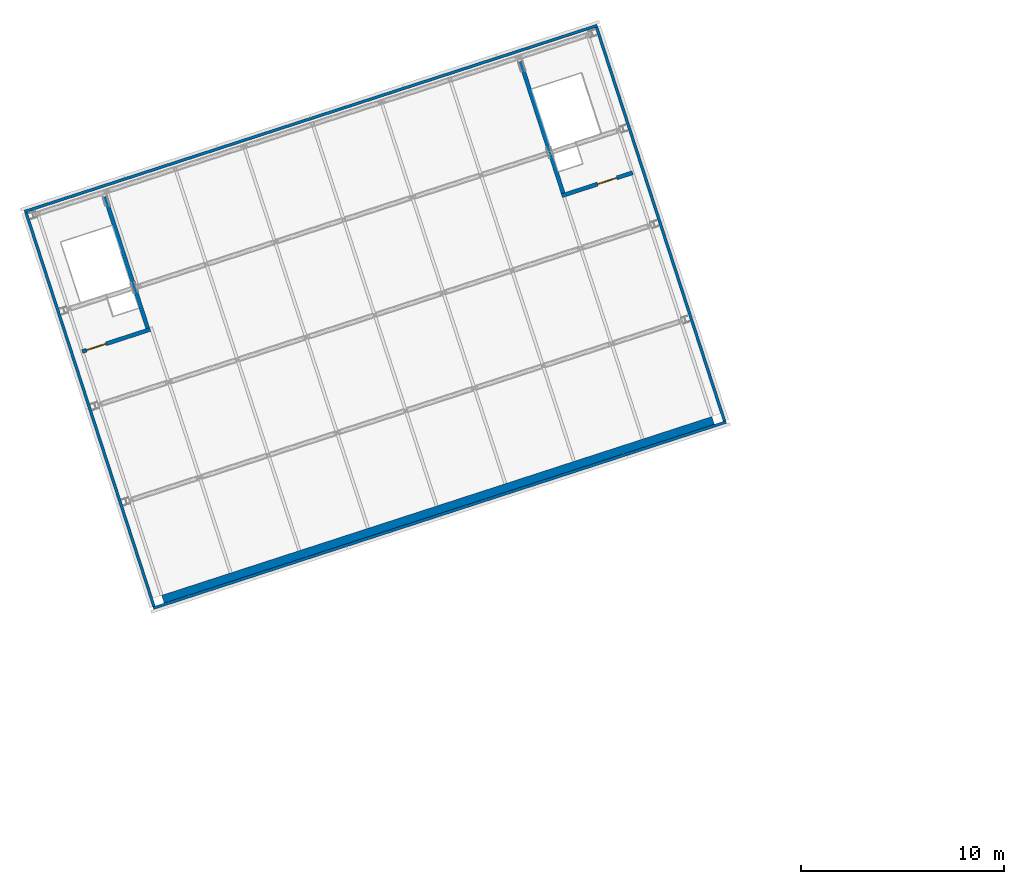
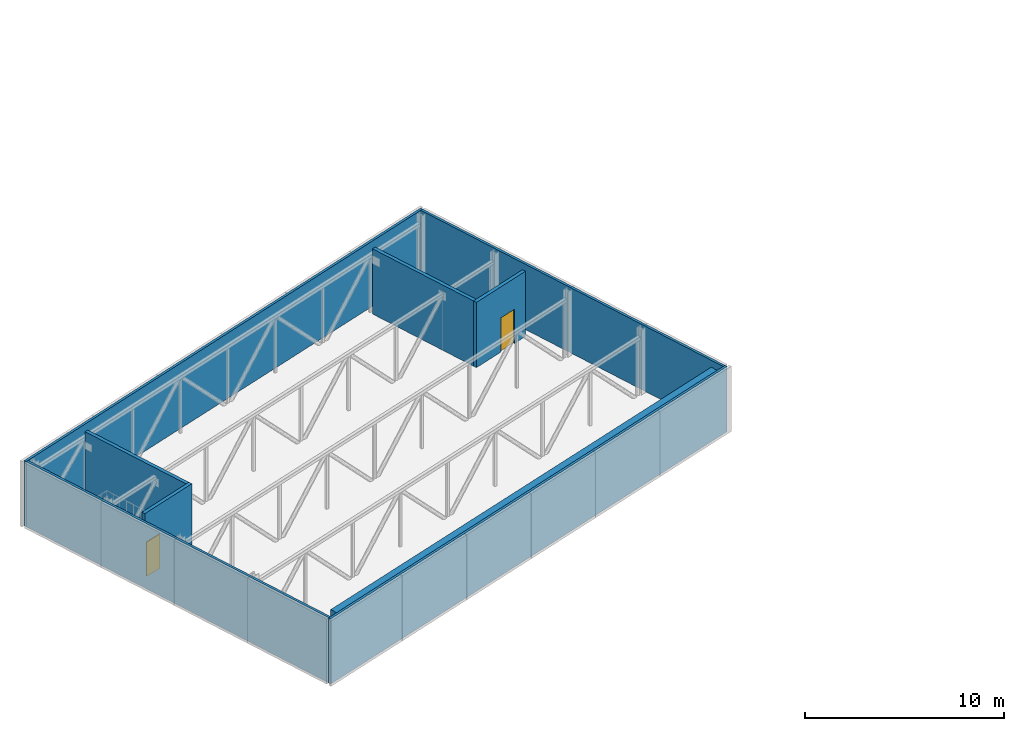
# One storey, part 46 of 52: 9 walls, 2 doors, 2 openings.
"""IFC4 building model written with IfcOpenShell, lengths in metres."""

from ifc_helpers import new_model, si_unit, direction, frame, frame_2d, origin, place, context, subcontext, project, spatial, rectangle, extrude, material, layer, layer_set, type_object, element, fill, save


model = new_model("IFC4")

# Units and contexts
model_context = context("Model", 3, precision=1e-05, world=origin(), true_north=direction((0.0, 1.0)))
body_context = subcontext(model_context, "Body", "Model", "MODEL_VIEW")
ifc_project = project(units=[si_unit("LENGTHUNIT", "METRE"), si_unit("AREAUNIT", "SQUARE_METRE"), si_unit("VOLUMEUNIT", "CUBIC_METRE"), si_unit("PLANEANGLEUNIT", "RADIAN"), si_unit("MASSUNIT", "GRAM", prefix="KILO")], contexts=[model_context])

# Site, building, storey
site_placement = place(None, origin())
site = spatial("IfcSite", under=ifc_project, at=site_placement, CompositionType="ELEMENT")
building_placement = place(site_placement, origin())
building = spatial("IfcBuilding", under=site, at=building_placement, Name="Tuart Plaza Theatre", CompositionType="ELEMENT")
storey_placement = place(building_placement, frame((0.0, 0.0, 25.5)))
storey = spatial("IfcBuildingStorey", under=building, at=storey_placement, Name="L06", CompositionType="ELEMENT", Elevation=25.5)

# Wall
ifc_material_1 = material(Name="Concrete N50 (50 MPa)", Category="concrete")
ifc_layer_1 = layer(ifc_material_1, 0.39990234375)
ifc_layer_set_1 = layer_set([ifc_layer_1], Name="SHEAR WALL RC400 N50 FRL 120/120/120")
wall_type_1 = type_object("IfcWallType", Name="SHEAR WALL RC400 N50 FRL 120/120/120", PredefinedType="SHEAR", material=ifc_layer_set_1)
wall_1_placement = place(storey_placement, frame((41.5615234375, 68.69921875, 0.0), z_axis=(0.0, 0.0, 1.0), x_axis=(0.951058008754, 0.309012401021, 0.0)))
element("IfcWall", 1, at=wall_1_placement, inside=storey, type_object=wall_type_1, Name="W58", PredefinedType="SHEAR", context=body_context, shape_type="SweptSolid", body=[
    extrude(rectangle(XDim=28.5498046875, YDim=0.39990234375, at=frame_2d((14.27490234375, 0.0))), origin(), (0.0, 0.0, 1.0), 4.0),
])

# Wall, opening, door
ifc_material_2 = material(Name="Concrete N40 (40 MPa)", Category="concrete")
ifc_layer_2 = layer(ifc_material_2, 0.199951171875)
ifc_layer_set_2 = layer_set([ifc_layer_2], Name="WALL RC200 LB FRL 120/120/120")
wall_type_2 = type_object("IfcWallType", Name="WALL RC200 LB FRL 120/120/120", PredefinedType="SOLIDWALL", material=ifc_layer_set_2)
wall_2_placement = place(storey_placement, frame((37.590576171875, 80.920166015625, 0.0), z_axis=(0.0, 0.0, 1.0), x_axis=(0.951052389726, 0.30902969436, 0.0)))
wall_2 = element("IfcWall", 2, at=wall_2_placement, inside=storey, type_object=wall_type_2, Name="W146", PredefinedType="SOLIDWALL", context=body_context, shape_type="SweptSolid", body=[
    extrude(rectangle(XDim=3.525146484375, YDim=0.199951171875, at=frame_2d((1.7626953125, 0.0))), origin(), (0.0, 0.0, 1.0), 4.0),
])
opening_1_placement = place(wall_2_placement, frame((0.22509765625, 0.0, 0.0)))
opening_1 = element("IfcOpeningElement", 3, at=opening_1_placement, cuts=wall_2, Name="Opening L06-001", PredefinedType="OPENING", context=body_context, shape_type="SweptSolid", body=[
    extrude(rectangle(XDim=1.0, YDim=2.10009765625, at=frame_2d((0.5, 1.050048828125))), frame((0.0, 0.10986328125, 0.0), z_axis=(0.0, -1.0, 0.0), x_axis=(1.0, 0.0, 0.0)), (0.0, 0.0, 1.0), 0.219970703125),
])
ifc_material_3 = material(Name="Timber", Category="wood")
door_type = type_object("IfcDoorType", Name="DOOR 1000x2100 timber single swing FRL -/120/30", OperationType="SINGLE_SWING_LEFT", PredefinedType="DOOR", material=ifc_material_3)
door_1_placement = place(opening_1_placement, origin())
door_1 = element("IfcDoor", 4, at=door_1_placement, inside=storey, type_object=door_type, Name="L06-001", OperationType="SINGLE_SWING_LEFT", OverallHeight=2.10009765625, OverallWidth=1.0, PredefinedType="DOOR", context=body_context, shape_type="SweptSolid", body=[
    extrude(rectangle(XDim=1.0, YDim=2.10009765625, at=frame_2d((0.5, 1.050048828125))), frame((0.0, 0.02490234375, 0.0), z_axis=(0.0, -1.0, 0.0), x_axis=(1.0, 0.0, 0.0)), (0.0, 0.0, 1.0), 0.050048828125),
])
fill(opening_1, door_1)

# Wall
wall_3_placement = place(storey_placement, frame((40.817138671875, 82.07373046875, 0.0), z_axis=(0.0, 0.0, 1.0), x_axis=(-0.309028643499, 0.951052731186, 0.0)))
element("IfcWall", 5, at=wall_3_placement, inside=storey, type_object=wall_type_2, Name="W147", PredefinedType="SOLIDWALL", context=body_context, shape_type="SweptSolid", body=[
    extrude(rectangle(XDim=6.824951171875, YDim=0.199951171875, at=frame_2d((3.41259765625, 0.0))), origin(), (0.0, 0.0, 1.0), 4.0),
])

# Wall, opening, door
wall_4_placement = place(storey_placement, frame((64.743408203125, 89.74267578125, 0.0), z_axis=(0.0, 0.0, 1.0), x_axis=(-0.95104773735, -0.309044011885, 0.0)))
wall_4 = element("IfcWall", 6, at=wall_4_placement, inside=storey, type_object=wall_type_2, Name="W160", PredefinedType="SOLIDWALL", context=body_context, shape_type="SweptSolid", body=[
    extrude(rectangle(XDim=3.675048828125, YDim=0.199951171875, at=frame_2d((1.83740234375, 0.0))), origin(), (0.0, 0.0, 1.0), 4.0),
])
opening_2_placement = place(wall_4_placement, frame((0.824951171875, 0.0, 0.0)))
opening_2 = element("IfcOpeningElement", 7, at=opening_2_placement, cuts=wall_4, Name="Opening L06-002", PredefinedType="OPENING", context=body_context, shape_type="SweptSolid", body=[
    extrude(rectangle(XDim=1.0, YDim=2.10009765625, at=frame_2d((0.5, 1.050048828125))), frame((0.0, 0.10986328125, 0.0), z_axis=(0.0, -1.0, 0.0), x_axis=(1.0, 0.0, 0.0)), (0.0, 0.0, 1.0), 0.219970703125),
])
door_2_placement = place(opening_2_placement, frame((1.0, 0.0, 0.0), z_axis=(0.0, 0.0, 1.0), x_axis=(-1.0, 0.0, 0.0)))
door_2 = element("IfcDoor", 8, at=door_2_placement, inside=storey, type_object=door_type, Name="L06-002", OperationType="SINGLE_SWING_LEFT", OverallHeight=2.10009765625, OverallWidth=1.0, PredefinedType="DOOR", context=body_context, shape_type="SweptSolid", body=[
    extrude(rectangle(XDim=1.0, YDim=2.10009765625, at=frame_2d((0.5, 1.050048828125))), frame((0.0, 0.02490234375, 0.0), z_axis=(0.0, -1.0, 0.0), x_axis=(1.0, 0.0, 0.0)), (0.0, 0.0, 1.0), 0.050048828125),
])
fill(opening_2, door_2)

# Walls
wall_5_placement = place(storey_placement, frame((61.3125, 88.73291015625, 0.0), z_axis=(0.0, 0.0, 1.0), x_axis=(-0.309028643499, 0.951052731186, 0.0)))
element("IfcWall", 9, at=wall_5_placement, inside=storey, type_object=wall_type_2, Name="W161", PredefinedType="SOLIDWALL", context=body_context, shape_type="SweptSolid", body=[
    extrude(rectangle(XDim=6.824951171875, YDim=0.199951171875, at=frame_2d((3.41259765625, 0.0))), origin(), (0.0, 0.0, 1.0), 4.0),
])
ifc_material_4 = material(Name="Zinc")
ifc_layer_3 = layer(ifc_material_4, 0.139892578125)
ifc_layer_set_3 = layer_set([ifc_layer_3], Name="WALL ZIN140 ZINC EXT")
wall_type_3 = type_object("IfcWallType", Name="WALL ZIN140 ZINC EXT", PredefinedType="SOLIDWALL", material=ifc_layer_set_3)
wall_6_placement = place(storey_placement, frame((41.128662109375, 68.34814453125, 0.0), z_axis=(0.0, 0.0, 1.0), x_axis=(-0.309010933888, 0.951058485445, 0.0)))
element("IfcWall", 10, at=wall_6_placement, inside=storey, type_object=wall_type_3, Name="P20", PredefinedType="SOLIDWALL", context=body_context, shape_type="SweptSolid", body=[
    extrude(rectangle(XDim=20.4248046875, YDim=0.139892578125, at=frame_2d((10.21240234375, 0.0))), origin(), (0.0, 0.0, 1.0), 4.0),
])
wall_7_placement = place(storey_placement, frame((69.2705078125, 77.491943359375, 0.0), z_axis=(0.0, 0.0, 1.0), x_axis=(-0.309021745532, 0.951054972537, 0.0)))
element("IfcWall", 11, at=wall_7_placement, inside=storey, type_object=wall_type_3, Name="P21", PredefinedType="SOLIDWALL", context=body_context, shape_type="SweptSolid", body=[
    extrude(rectangle(XDim=20.425048828125, YDim=0.139892578125, at=frame_2d((10.21240234375, 0.0))), origin(), (0.0, 0.0, 1.0), 4.0),
])
for number, where, z_axis, x_axis, name in (
    (12, (34.72900390625, 87.818603515625, 0.0), (0.0, 0.0, 1.0), (0.951057118925, 0.309015139665, 0.0), "P22"),
    (13, (41.083740234375, 68.260009765625, 0.0), (0.0, 0.0, 1.0), (0.951057118925, 0.309015139665, 0.0), "P23"),
):
    element("IfcWall", number, at=place(storey_placement, frame(where, z_axis=z_axis, x_axis=x_axis)), inside=storey, type_object=wall_type_3, Name=name, PredefinedType="SOLIDWALL", context=body_context, shape_type="SweptSolid", body=[
        extrude(rectangle(XDim=29.72998046875, YDim=0.139892578125, at=frame_2d((14.864990234375, 0.0))), origin(), (0.0, 0.0, 1.0), 4.0),
    ])

save(model, "model.ifc")
